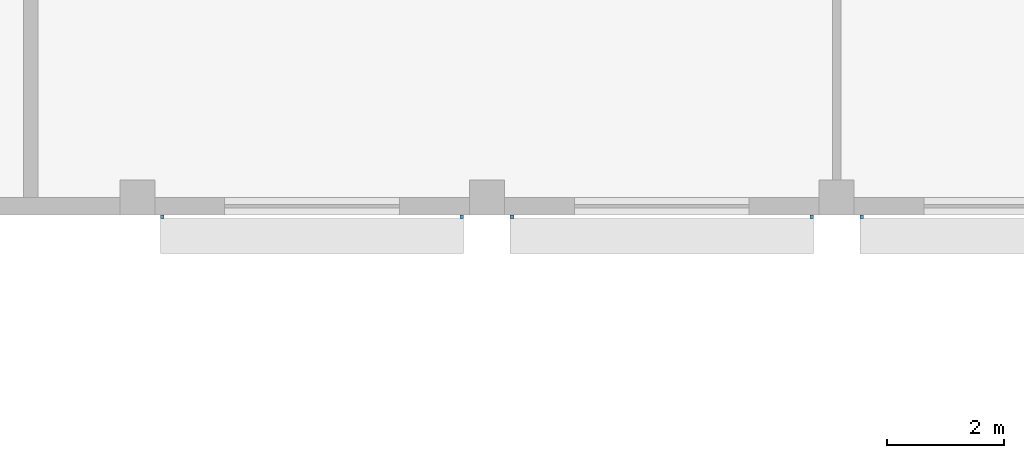
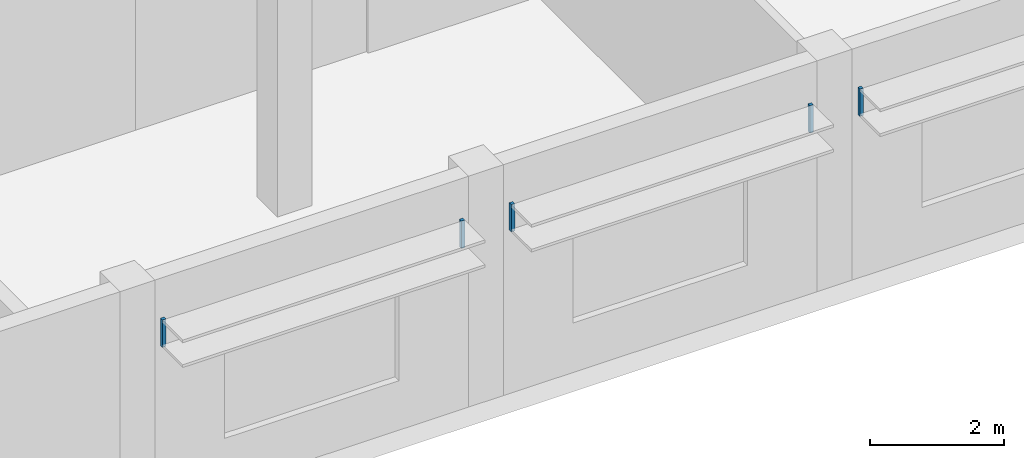
# One storey, part 33 of 47: 5 discrete accessories.
"""IFC4 building model written with IfcOpenShell, lengths in metres."""

from ifc_helpers import new_model, si_unit, direction, frame, origin, origin_2d, place, context, subcontext, project, spatial, rectangle, extrude, material, type_object, element, save


model = new_model("IFC4")

# Units and contexts
model_context = context("Model", 3, precision=1e-05, world=origin(), true_north=direction((0.0, 1.0)))
body_context = subcontext(model_context, "Body", "Model", "MODEL_VIEW")
ifc_project = project(units=[si_unit("LENGTHUNIT", "METRE"), si_unit("AREAUNIT", "SQUARE_METRE"), si_unit("VOLUMEUNIT", "CUBIC_METRE"), si_unit("PLANEANGLEUNIT", "RADIAN"), si_unit("MASSUNIT", "GRAM", prefix="KILO")], contexts=[model_context])

# Site, building, storey
site_placement = place(None, origin())
site = spatial("IfcSite", under=ifc_project, at=site_placement, CompositionType="ELEMENT")
building_placement = place(site_placement, origin())
building = spatial("IfcBuilding", under=site, at=building_placement, Name="Nakaniwa Court", CompositionType="ELEMENT")
storey_placement = place(building_placement, frame((0.0, 0.0, 15.60009765625)))
storey = spatial("IfcBuildingStorey", under=building, at=storey_placement, Name="L03", CompositionType="ELEMENT", Elevation=15.60009765625)

# Discrete accessories
ifc_material = material(Name="Black powder-coated steel bracket S275", Category="steel")
discrete_accessory_type = type_object("IfcDiscreteAccessoryType", Name="Hall black metal louvre bracket", PredefinedType="BRACKET", material=ifc_material)
for number, where, z_axis, x_axis, name in (
    (1, (170.429931640625, 55.969970703125, 2.974853515625), (0.0, 0.0, 1.0), (-1.0, 0.0, 0.0), "Louvre bracket L03 038.2"),
    (2, (169.570068359375, 55.969970703125, 2.974853515625), (0.0, 0.0, 1.0), (-1.0, 0.0, 0.0), "Louvre bracket L03 039.1"),
    (3, (164.429931640625, 55.969970703125, 2.974853515625), (0.0, 0.0, 1.0), (-1.0, 0.0, 0.0), "Louvre bracket L03 039.2"),
    (4, (163.570068359375, 55.969970703125, 2.974853515625), (0.0, 0.0, 1.0), (-1.0, 0.0, 0.0), "Louvre bracket L03 040.1"),
    (5, (158.429931640625, 55.969970703125, 2.974853515625), (0.0, 0.0, 1.0), (-1.0, 0.0, 0.0), "Louvre bracket L03 040.2"),
):
    element("IfcDiscreteAccessory", number, at=place(storey_placement, frame(where, z_axis=z_axis, x_axis=x_axis)), inside=storey, type_object=discrete_accessory_type, Name=name, PredefinedType="BRACKET", context=body_context, shape_type="SweptSolid", body=[
        extrude(rectangle(XDim=0.06005859375, YDim=0.06005859375, at=origin_2d()), origin(), (0.0, 0.0, 1.0), 0.5),
    ])

save(model, "model.ifc")
